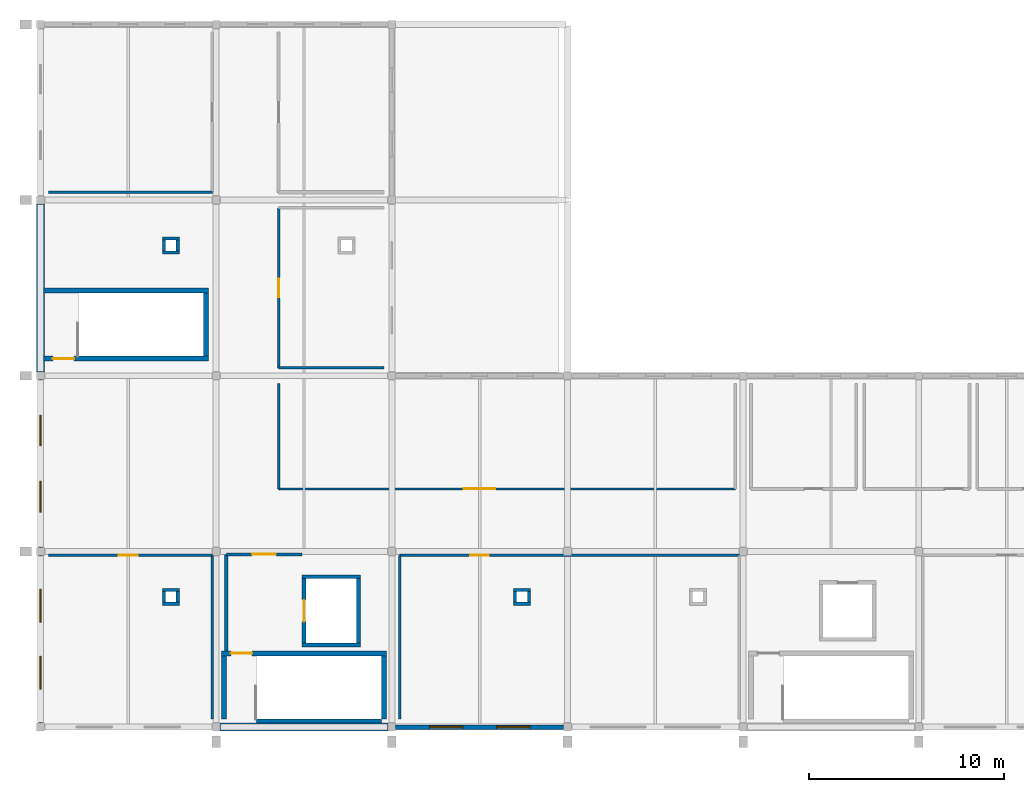
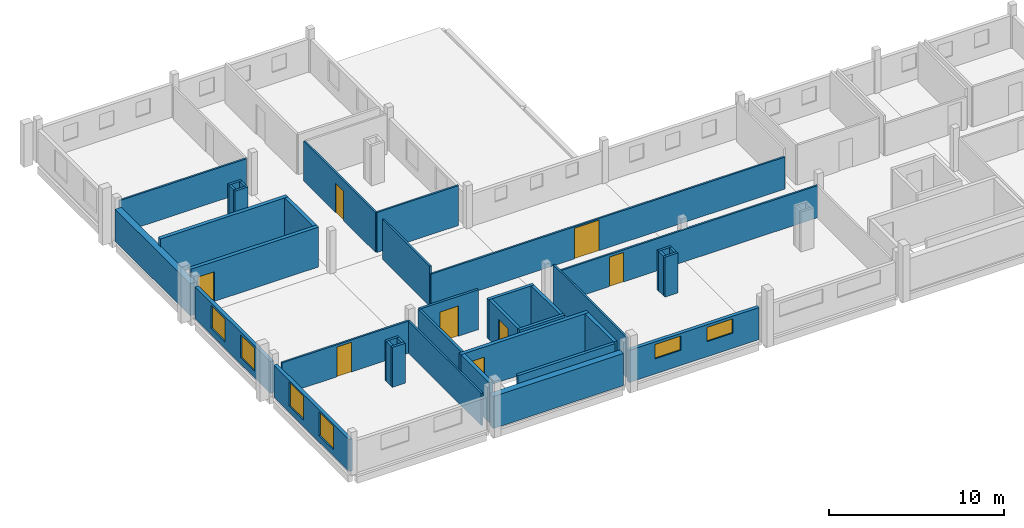
# One storey, part 2 of 6: 39 walls, 8 doors, 6 windows, 14 openings.
"""IFC4 building model written with IfcOpenShell, lengths in metres."""

from ifc_helpers import new_model, si_unit, direction, frame, frame_2d, origin, place, context, subcontext, project, spatial, rectangle, extrude, material, layer, layer_set, type_object, element, fill, save


model = new_model("IFC4")

# Units and contexts
model_context = context("Model", 3, precision=1e-05, world=origin(), true_north=direction((0.0, 1.0)))
body_context = subcontext(model_context, "Body", "Model", "MODEL_VIEW")
ifc_project = project(units=[si_unit("LENGTHUNIT", "METRE"), si_unit("AREAUNIT", "SQUARE_METRE"), si_unit("VOLUMEUNIT", "CUBIC_METRE"), si_unit("PLANEANGLEUNIT", "RADIAN"), si_unit("MASSUNIT", "GRAM", prefix="KILO")], contexts=[model_context])

# Site, building, storey
site_placement = place(None, origin())
site = spatial("IfcSite", under=ifc_project, at=site_placement, CompositionType="ELEMENT")
building_placement = place(site_placement, origin())
building = spatial("IfcBuilding", under=site, at=building_placement, Name="Tharagai Park Tramway Depot", CompositionType="ELEMENT")
storey_placement = place(building_placement, frame((0.0, 0.0, 15.0)))
storey = spatial("IfcBuildingStorey", under=building, at=storey_placement, Name="L04", CompositionType="ELEMENT", Elevation=15.0)

# Wall, openings, windows
ifc_material_1 = material(Name="Pressed clay brick", Category="masonry")
ifc_layer_1 = layer(ifc_material_1, 0.22998046875)
ifc_layer_set_1 = layer_set([ifc_layer_1], Name="Pressed clay brick")
wall_type_1 = type_object("IfcWallType", Name="EW-06", PredefinedType="SOLIDWALL", material=ifc_layer_set_1)
wall_1_placement = place(storey_placement, frame((18.197998046875, 0.0, 0.0), z_axis=(0.0, 0.0, 1.0), x_axis=(1.0, 0.0, 0.0)))
wall_1 = element("IfcWall", 1, at=wall_1_placement, inside=storey, type_object=wall_type_1, Name="L04 V4 Exterior Masonry Wall EW-06", PredefinedType="SOLIDWALL", context=body_context, shape_type="SweptSolid", body=[
    extrude(rectangle(XDim=8.60400390625, YDim=0.22998046875, at=frame_2d((4.302001953125, 0.0))), origin(), (0.0, 0.0, 1.0), 2.241943359375),
])
opening_1_placement = place(wall_1_placement, frame((1.735107421875, 0.0, 1.06005859375)))
opening_1 = element("IfcOpeningElement", 2, at=opening_1_placement, cuts=wall_1, Name="Opening WN-31", PredefinedType="OPENING", context=body_context, shape_type="SweptSolid", body=[
    extrude(rectangle(XDim=1.699951171875, YDim=1.0, at=frame_2d((0.85009765625, 0.5))), frame((0.0, 0.125, 0.0), z_axis=(0.0, -1.0, 0.0), x_axis=(1.0, 0.0, 0.0)), (0.0, 0.0, 1.0), 0.25),
])
opening_2_placement = place(wall_1_placement, frame((5.1689453125, 0.0, 1.06005859375)))
opening_2 = element("IfcOpeningElement", 3, at=opening_2_placement, cuts=wall_1, Name="Opening WN-31", PredefinedType="OPENING", context=body_context, shape_type="SweptSolid", body=[
    extrude(rectangle(XDim=1.699951171875, YDim=1.0, at=frame_2d((0.85009765625, 0.5))), frame((0.0, 0.125, 0.0), z_axis=(0.0, -1.0, 0.0), x_axis=(1.0, 0.0, 0.0)), (0.0, 0.0, 1.0), 0.25),
])
ifc_material_2 = material(Name="Laminated solar-control glass", Category="glass")
window_type_1 = type_object("IfcWindowType", Name="WN-31", PartitioningType="SINGLE_PANEL", PredefinedType="WINDOW", material=ifc_material_2)
window_1_placement = place(opening_1_placement, origin())
window_1 = element("IfcWindow", 4, at=window_1_placement, inside=storey, type_object=window_type_1, Name="L04 V4 Gothic Lancet Window WN-31", OverallHeight=1.0, OverallWidth=1.699951171875, PartitioningType="SINGLE_PANEL", PredefinedType="WINDOW", context=body_context, shape_type="SweptSolid", body=[
    extrude(rectangle(XDim=1.699951171875, YDim=1.0, at=frame_2d((0.85009765625, 0.5))), frame((0.0, 0.030029296875, 0.0), z_axis=(0.0, -1.0, 0.0), x_axis=(1.0, 0.0, 0.0)), (0.0, 0.0, 1.0), 0.06005859375),
])
fill(opening_1, window_1)
window_2_placement = place(opening_2_placement, origin())
window_2 = element("IfcWindow", 5, at=window_2_placement, inside=storey, type_object=window_type_1, Name="L04 V4 Gothic Lancet Window WN-31", OverallHeight=1.0, OverallWidth=1.699951171875, PartitioningType="SINGLE_PANEL", PredefinedType="WINDOW", context=body_context, shape_type="SweptSolid", body=[
    extrude(rectangle(XDim=1.699951171875, YDim=1.0, at=frame_2d((0.85009765625, 0.5))), frame((0.0, 0.030029296875, 0.0), z_axis=(0.0, -1.0, 0.0), x_axis=(1.0, 0.0, 0.0)), (0.0, 0.0, 1.0), 0.06005859375),
])
fill(opening_2, window_2)

wall_2_placement = place(storey_placement, frame((0.0, 0.197998046875, 0.0), z_axis=(0.0, 0.0, 1.0), x_axis=(0.0, 1.0, 0.0)))
wall_2 = element("IfcWall", 6, at=wall_2_placement, inside=storey, type_object=wall_type_1, Name="L04 V4 Exterior Masonry Wall EW-06", PredefinedType="SOLIDWALL", context=body_context, shape_type="SweptSolid", body=[
    extrude(rectangle(XDim=8.60400390625, YDim=0.22998046875, at=frame_2d((4.302001953125, 0.0))), origin(), (0.0, 0.0, 1.0), 2.241943359375),
])
opening_3_placement = place(wall_2_placement, frame((1.748046875, 0.0, 0.449951171875)))
opening_3 = element("IfcOpeningElement", 7, at=opening_3_placement, cuts=wall_2, Name="Opening WN-38", PredefinedType="OPENING", context=body_context, shape_type="SweptSolid", body=[
    extrude(rectangle(XDim=1.679931640625, YDim=1.659912109375, at=frame_2d((0.83984375, 0.830078125))), frame((0.0, 0.125, 0.0), z_axis=(0.0, -1.0, 0.0), x_axis=(1.0, 0.0, 0.0)), (0.0, 0.0, 1.0), 0.25),
])
opening_4_placement = place(wall_2_placement, frame((5.176025390625, 0.0, 0.449951171875)))
opening_4 = element("IfcOpeningElement", 8, at=opening_4_placement, cuts=wall_2, Name="Opening WN-38", PredefinedType="OPENING", context=body_context, shape_type="SweptSolid", body=[
    extrude(rectangle(XDim=1.679931640625, YDim=1.659912109375, at=frame_2d((0.83984375, 0.830078125))), frame((0.0, 0.125, 0.0), z_axis=(0.0, -1.0, 0.0), x_axis=(1.0, 0.0, 0.0)), (0.0, 0.0, 1.0), 0.25),
])
window_type_2 = type_object("IfcWindowType", Name="WN-38", PartitioningType="SINGLE_PANEL", PredefinedType="WINDOW", material=ifc_material_2)
window_3_placement = place(opening_3_placement, origin())
window_3 = element("IfcWindow", 9, at=window_3_placement, inside=storey, type_object=window_type_2, Name="L04 V4 Side Lancet Window WN-38", OverallHeight=1.659912109375, OverallWidth=1.679931640625, PartitioningType="SINGLE_PANEL", PredefinedType="WINDOW", context=body_context, shape_type="SweptSolid", body=[
    extrude(rectangle(XDim=1.679931640625, YDim=1.659912109375, at=frame_2d((0.83984375, 0.830078125))), frame((0.0, 0.030029296875, 0.0), z_axis=(0.0, -1.0, 0.0), x_axis=(1.0, 0.0, 0.0)), (0.0, 0.0, 1.0), 0.06005859375),
])
fill(opening_3, window_3)
window_4_placement = place(opening_4_placement, origin())
window_4 = element("IfcWindow", 10, at=window_4_placement, inside=storey, type_object=window_type_2, Name="L04 V4 Side Lancet Window WN-38", OverallHeight=1.659912109375, OverallWidth=1.679931640625, PartitioningType="SINGLE_PANEL", PredefinedType="WINDOW", context=body_context, shape_type="SweptSolid", body=[
    extrude(rectangle(XDim=1.679931640625, YDim=1.659912109375, at=frame_2d((0.83984375, 0.830078125))), frame((0.0, 0.030029296875, 0.0), z_axis=(0.0, -1.0, 0.0), x_axis=(1.0, 0.0, 0.0)), (0.0, 0.0, 1.0), 0.06005859375),
])
fill(opening_4, window_4)

wall_3_placement = place(storey_placement, frame((0.0, 9.197998046875, 0.0), z_axis=(0.0, 0.0, 1.0), x_axis=(0.0, 1.0, 0.0)))
wall_3 = element("IfcWall", 11, at=wall_3_placement, inside=storey, type_object=wall_type_1, Name="L04 V4 Exterior Masonry Wall EW-06", PredefinedType="SOLIDWALL", context=body_context, shape_type="SweptSolid", body=[
    extrude(rectangle(XDim=8.60400390625, YDim=0.22998046875, at=frame_2d((4.302001953125, 0.0))), origin(), (0.0, 0.0, 1.0), 2.241943359375),
])
opening_5_placement = place(wall_3_placement, frame((1.81494140625, 0.0, 0.4599609375)))
opening_5 = element("IfcOpeningElement", 12, at=opening_5_placement, cuts=wall_3, Name="Opening WN-33", PredefinedType="OPENING", context=body_context, shape_type="SweptSolid", body=[
    extrude(rectangle(XDim=1.580078125, YDim=1.60009765625, at=frame_2d((0.7900390625, 0.800048828125))), frame((0.0, 0.125, 0.0), z_axis=(0.0, -1.0, 0.0), x_axis=(1.0, 0.0, 0.0)), (0.0, 0.0, 1.0), 0.25),
])
opening_6_placement = place(wall_3_placement, frame((5.208984375, 0.0, 0.4599609375)))
opening_6 = element("IfcOpeningElement", 13, at=opening_6_placement, cuts=wall_3, Name="Opening WN-33", PredefinedType="OPENING", context=body_context, shape_type="SweptSolid", body=[
    extrude(rectangle(XDim=1.580078125, YDim=1.60009765625, at=frame_2d((0.7900390625, 0.800048828125))), frame((0.0, 0.125, 0.0), z_axis=(0.0, -1.0, 0.0), x_axis=(1.0, 0.0, 0.0)), (0.0, 0.0, 1.0), 0.25),
])
window_type_3 = type_object("IfcWindowType", Name="WN-33", PartitioningType="SINGLE_PANEL", PredefinedType="WINDOW", material=ifc_material_2)
window_5_placement = place(opening_5_placement, origin())
window_5 = element("IfcWindow", 14, at=window_5_placement, inside=storey, type_object=window_type_3, Name="L04 V4 Side Lancet Window WN-33", OverallHeight=1.60009765625, OverallWidth=1.580078125, PartitioningType="SINGLE_PANEL", PredefinedType="WINDOW", context=body_context, shape_type="SweptSolid", body=[
    extrude(rectangle(XDim=1.580078125, YDim=1.60009765625, at=frame_2d((0.7900390625, 0.800048828125))), frame((0.0, 0.030029296875, 0.0), z_axis=(0.0, -1.0, 0.0), x_axis=(1.0, 0.0, 0.0)), (0.0, 0.0, 1.0), 0.06005859375),
])
fill(opening_5, window_5)
window_6_placement = place(opening_6_placement, origin())
window_6 = element("IfcWindow", 15, at=window_6_placement, inside=storey, type_object=window_type_3, Name="L04 V4 Side Lancet Window WN-33", OverallHeight=1.60009765625, OverallWidth=1.580078125, PartitioningType="SINGLE_PANEL", PredefinedType="WINDOW", context=body_context, shape_type="SweptSolid", body=[
    extrude(rectangle(XDim=1.580078125, YDim=1.60009765625, at=frame_2d((0.7900390625, 0.800048828125))), frame((0.0, 0.030029296875, 0.0), z_axis=(0.0, -1.0, 0.0), x_axis=(1.0, 0.0, 0.0)), (0.0, 0.0, 1.0), 0.06005859375),
])
fill(opening_6, window_6)

# Walls
ifc_material_3 = material(Name="Charnockite stone", Category="masonry")
ifc_layer_2 = layer(ifc_material_3, 0.419921875)
ifc_layer_set_2 = layer_set([ifc_layer_2], Name="Charnockite stone")
wall_type_2 = type_object("IfcWallType", Name="EW-07", PredefinedType="SOLIDWALL", material=ifc_layer_set_2)
for number, where, z_axis, x_axis, name in (
    (16, (9.197998046875, 0.0, 0.0), (0.0, 0.0, 1.0), (1.0, 0.0, 0.0), "L04 V4 Exterior Masonry Wall EW-07"),
    (17, (0.0, 18.197998046875, 0.0), (0.0, 0.0, 1.0), (0.0, 1.0, 0.0), "L04 V4 Exterior Masonry Wall EW-07"),
):
    element("IfcWall", number, at=place(storey_placement, frame(where, z_axis=z_axis, x_axis=x_axis)), inside=storey, type_object=wall_type_2, Name=name, PredefinedType="SOLIDWALL", context=body_context, shape_type="SweptSolid", body=[
        extrude(rectangle(XDim=8.60400390625, YDim=0.419921875, at=frame_2d((4.302001953125, 0.0))), origin(), (0.0, 0.0, 1.0), 2.241943359375),
    ])
ifc_layer_3 = layer(ifc_material_1, 0.159912109375)
ifc_layer_set_3 = layer_set([ifc_layer_3], Name="Pressed clay brick")
wall_type_3 = type_object("IfcWallType", Name="IW-02", PredefinedType="PARTITIONING", material=ifc_layer_set_3)
for number, where, z_axis, x_axis, name in (
    (18, (6.239990234375, 6.320068359375, 0.0), (0.0, 0.0, 1.0), (1.0, 0.0, 0.0), "L04 Pipe Riser Enclosure Wall 62 S"),
    (19, (6.239990234375, 7.030029296875, 0.0), (0.0, 0.0, 1.0), (1.0, 0.0, 0.0), "L04 Pipe Riser Enclosure Wall 62 N"),
):
    element("IfcWall", number, at=place(storey_placement, frame(where, z_axis=z_axis, x_axis=x_axis)), inside=storey, type_object=wall_type_3, Name=name, PredefinedType="PARTITIONING", context=body_context, shape_type="SweptSolid", body=[
        extrude(rectangle(XDim=0.8701171875, YDim=0.159912109375, at=frame_2d((0.43505859375, 0.0))), origin(), (0.0, 0.0, 1.0), 2.7900390625),
    ])
for number, where, z_axis, x_axis, name in (
    (20, (6.320068359375, 6.39990234375, 0.0), (0.0, 0.0, 1.0), (0.0, 1.0, 0.0), "L04 Pipe Riser Enclosure Wall 62 W"),
    (21, (7.030029296875, 6.39990234375, 0.0), (0.0, 0.0, 1.0), (0.0, 1.0, 0.0), "L04 Pipe Riser Enclosure Wall 62 E"),
):
    element("IfcWall", number, at=place(storey_placement, frame(where, z_axis=z_axis, x_axis=x_axis)), inside=storey, type_object=wall_type_3, Name=name, PredefinedType="PARTITIONING", context=body_context, shape_type="SweptSolid", body=[
        extrude(rectangle(XDim=0.550048828125, YDim=0.159912109375, at=frame_2d((0.27490234375, 0.0))), origin(), (0.0, 0.0, 1.0), 2.7900390625),
    ])
for number, where, z_axis, x_axis, name in (
    (22, (24.239990234375, 6.320068359375, 0.0), (0.0, 0.0, 1.0), (1.0, 0.0, 0.0), "L04 Pipe Riser Enclosure Wall 63 S"),
    (23, (24.239990234375, 7.030029296875, 0.0), (0.0, 0.0, 1.0), (1.0, 0.0, 0.0), "L04 Pipe Riser Enclosure Wall 63 N"),
):
    element("IfcWall", number, at=place(storey_placement, frame(where, z_axis=z_axis, x_axis=x_axis)), inside=storey, type_object=wall_type_3, Name=name, PredefinedType="PARTITIONING", context=body_context, shape_type="SweptSolid", body=[
        extrude(rectangle(XDim=0.8701171875, YDim=0.159912109375, at=frame_2d((0.43505859375, 0.0))), origin(), (0.0, 0.0, 1.0), 2.7900390625),
    ])
for number, where, z_axis, x_axis, name in (
    (24, (24.320068359375, 6.39990234375, 0.0), (0.0, 0.0, 1.0), (0.0, 1.0, 0.0), "L04 Pipe Riser Enclosure Wall 63 W"),
    (25, (25.030029296875, 6.39990234375, 0.0), (0.0, 0.0, 1.0), (0.0, 1.0, 0.0), "L04 Pipe Riser Enclosure Wall 63 E"),
):
    element("IfcWall", number, at=place(storey_placement, frame(where, z_axis=z_axis, x_axis=x_axis)), inside=storey, type_object=wall_type_3, Name=name, PredefinedType="PARTITIONING", context=body_context, shape_type="SweptSolid", body=[
        extrude(rectangle(XDim=0.550048828125, YDim=0.159912109375, at=frame_2d((0.27490234375, 0.0))), origin(), (0.0, 0.0, 1.0), 2.7900390625),
    ])
for number, where, z_axis, x_axis, name in (
    (26, (6.239990234375, 24.320068359375, 0.0), (0.0, 0.0, 1.0), (1.0, 0.0, 0.0), "L04 Pipe Riser Enclosure Wall 66 S"),
    (27, (6.239990234375, 25.030029296875, 0.0), (0.0, 0.0, 1.0), (1.0, 0.0, 0.0), "L04 Pipe Riser Enclosure Wall 66 N"),
):
    element("IfcWall", number, at=place(storey_placement, frame(where, z_axis=z_axis, x_axis=x_axis)), inside=storey, type_object=wall_type_3, Name=name, PredefinedType="PARTITIONING", context=body_context, shape_type="SweptSolid", body=[
        extrude(rectangle(XDim=0.8701171875, YDim=0.159912109375, at=frame_2d((0.43505859375, 0.0))), origin(), (0.0, 0.0, 1.0), 2.7900390625),
    ])
for number, where, z_axis, x_axis, name in (
    (28, (6.320068359375, 24.39990234375, 0.0), (0.0, 0.0, 1.0), (0.0, 1.0, 0.0), "L04 Pipe Riser Enclosure Wall 66 W"),
    (29, (7.030029296875, 24.39990234375, 0.0), (0.0, 0.0, 1.0), (0.0, 1.0, 0.0), "L04 Pipe Riser Enclosure Wall 66 E"),
):
    element("IfcWall", number, at=place(storey_placement, frame(where, z_axis=z_axis, x_axis=x_axis)), inside=storey, type_object=wall_type_3, Name=name, PredefinedType="PARTITIONING", context=body_context, shape_type="SweptSolid", body=[
        extrude(rectangle(XDim=0.550048828125, YDim=0.159912109375, at=frame_2d((0.27490234375, 0.0))), origin(), (0.0, 0.0, 1.0), 2.7900390625),
    ])

# Wall, opening, door
wall_4_placement = place(storey_placement, frame((9.52001953125, 8.85009765625, 0.0), z_axis=(0.0, 0.0, 1.0), x_axis=(1.0, 0.0, 0.0)))
wall_4 = element("IfcWall", 30, at=wall_4_placement, inside=storey, type_object=wall_type_3, Name="Firefighting Lobby L04 Partition North", PredefinedType="PARTITIONING", context=body_context, shape_type="SweptSolid", body=[
    extrude(rectangle(XDim=3.8798828125, YDim=0.159912109375, at=frame_2d((1.93994140625, 0.0))), origin(), (0.0, 0.0, 1.0), 2.7900390625),
])
opening_7_placement = place(wall_4_placement, frame((1.320068359375, 0.0, 0.0)))
opening_7 = element("IfcOpeningElement", 31, at=opening_7_placement, cuts=wall_4, Name="Opening ID-10", PredefinedType="OPENING", context=body_context, shape_type="SweptSolid", body=[
    extrude(rectangle(XDim=1.219970703125, YDim=2.1201171875, at=frame_2d((0.60986328125, 1.06005859375))), frame((0.0, 0.08984375, 0.0), z_axis=(0.0, -1.0, 0.0), x_axis=(1.0, 0.0, 0.0)), (0.0, 0.0, 1.0), 0.179931640625),
])
ifc_material_4 = material(Name="Galvanised steel", Category="steel")
door_type_1 = type_object("IfcDoorType", Name="ID-10", OperationType="NOTDEFINED", PredefinedType="DOOR", material=ifc_material_4)
door_1_placement = place(opening_7_placement, origin())
door_1 = element("IfcDoor", 32, at=door_1_placement, inside=storey, type_object=door_type_1, Name="Firefighting Lobby L04 Door", OperationType="SINGLE_SWING_LEFT", OverallHeight=2.1201171875, OverallWidth=1.219970703125, PredefinedType="DOOR", context=body_context, shape_type="SweptSolid", body=[
    extrude(rectangle(XDim=1.219970703125, YDim=2.1201171875, at=frame_2d((0.60986328125, 1.06005859375))), frame((0.0, 0.02490234375, 0.0), z_axis=(0.0, -1.0, 0.0), x_axis=(1.0, 0.0, 0.0)), (0.0, 0.0, 1.0), 0.050048828125),
])
fill(opening_7, door_1)

# Wall
wall_5_placement = place(storey_placement, frame((9.52001953125, 3.889892578125, 0.0), z_axis=(0.0, 0.0, 1.0), x_axis=(0.0, 1.0, 0.0)))
element("IfcWall", 33, at=wall_5_placement, inside=storey, type_object=wall_type_3, Name="Firefighting Lobby L04 Partition West", PredefinedType="PARTITIONING", context=body_context, shape_type="SweptSolid", body=[
    extrude(rectangle(XDim=4.960205078125, YDim=0.159912109375, at=frame_2d((2.47998046875, 0.0))), origin(), (0.0, 0.0, 1.0), 2.7900390625),
])

# Wall, opening, door
ifc_material_5 = material(Name="Gypsum board", Category="gypsum")
ifc_layer_4 = layer(ifc_material_5, 0.1201171875)
ifc_layer_set_4 = layer_set([ifc_layer_4], Name="Gypsum board")
wall_type_4 = type_object("IfcWallType", Name="IW-03", PredefinedType="PARTITIONING", material=ifc_layer_set_4)
wall_6_placement = place(storey_placement, frame((0.39990234375, 8.800048828125, 0.0), z_axis=(0.0, 0.0, 1.0), x_axis=(1.0, 0.0, 0.0)))
wall_6 = element("IfcWall", 34, at=wall_6_placement, inside=storey, type_object=wall_type_4, Name="Night-Shift Crew Quiet Rest Room Partition North", PredefinedType="PARTITIONING", context=body_context, shape_type="SweptSolid", body=[
    extrude(rectangle(XDim=8.400146484375, YDim=0.1201171875, at=frame_2d((4.2001953125, 0.0))), origin(), (0.0, 0.0, 1.0), 2.2451171875),
])
opening_8_placement = place(wall_6_placement, frame((3.610107421875, 0.0, 0.0)))
opening_8 = element("IfcOpeningElement", 35, at=opening_8_placement, cuts=wall_6, Name="Opening ID-02", PredefinedType="OPENING", context=body_context, shape_type="SweptSolid", body=[
    extrude(rectangle(XDim=0.97998046875, YDim=2.080078125, at=frame_2d((0.489990234375, 1.0400390625))), frame((0.0, 0.070068359375, 0.0), z_axis=(0.0, -1.0, 0.0), x_axis=(1.0, 0.0, 0.0)), (0.0, 0.0, 1.0), 0.14013671875),
])
ifc_material_6 = material(Name="Pressed timber", Category="wood")
door_type_2 = type_object("IfcDoorType", Name="ID-02", OperationType="NOTDEFINED", PredefinedType="DOOR", material=ifc_material_6)
door_2_placement = place(opening_8_placement, origin())
door_2 = element("IfcDoor", 36, at=door_2_placement, inside=storey, type_object=door_type_2, Name="Night-Shift Crew Quiet Rest Room Door", OperationType="SINGLE_SWING_LEFT", OverallHeight=2.080078125, OverallWidth=0.97998046875, PredefinedType="DOOR", context=body_context, shape_type="SweptSolid", body=[
    extrude(rectangle(XDim=0.97998046875, YDim=2.080078125, at=frame_2d((0.489990234375, 1.0400390625))), frame((0.0, 0.02490234375, 0.0), z_axis=(0.0, -1.0, 0.0), x_axis=(1.0, 0.0, 0.0)), (0.0, 0.0, 1.0), 0.050048828125),
])
fill(opening_8, door_2)

# Wall
wall_7_placement = place(storey_placement, frame((8.800048828125, 0.39990234375, 0.0), z_axis=(0.0, 0.0, 1.0), x_axis=(0.0, 1.0, 0.0)))
element("IfcWall", 37, at=wall_7_placement, inside=storey, type_object=wall_type_4, Name="Night-Shift Crew Quiet Rest Room Partition East", PredefinedType="PARTITIONING", context=body_context, shape_type="SweptSolid", body=[
    extrude(rectangle(XDim=8.400146484375, YDim=0.1201171875, at=frame_2d((4.2001953125, 0.0))), origin(), (0.0, 0.0, 1.0), 2.2451171875),
])

# Wall, opening, door
wall_8_placement = place(storey_placement, frame((18.39990234375, 8.800048828125, 0.0), z_axis=(0.0, 0.0, 1.0), x_axis=(1.0, 0.0, 0.0)))
wall_8 = element("IfcWall", 38, at=wall_8_placement, inside=storey, type_object=wall_type_4, Name="Standards and Safety Reference Library Partition North", PredefinedType="PARTITIONING", context=body_context, shape_type="SweptSolid", body=[
    extrude(rectangle(XDim=17.400146484375, YDim=0.1201171875, at=frame_2d((8.7001953125, 0.0))), origin(), (0.0, 0.0, 1.0), 2.2451171875),
])
opening_9_placement = place(wall_8_placement, frame((3.6298828125, 0.0, 0.0)))
opening_9 = element("IfcOpeningElement", 39, at=opening_9_placement, cuts=wall_8, Name="Opening ID-03", PredefinedType="OPENING", context=body_context, shape_type="SweptSolid", body=[
    extrude(rectangle(XDim=0.93994140625, YDim=2.06005859375, at=frame_2d((0.469970703125, 1.030029296875))), frame((0.0, 0.070068359375, 0.0), z_axis=(0.0, -1.0, 0.0), x_axis=(1.0, 0.0, 0.0)), (0.0, 0.0, 1.0), 0.14013671875),
])
door_type_3 = type_object("IfcDoorType", Name="ID-03", OperationType="NOTDEFINED", PredefinedType="DOOR", material=ifc_material_6)
door_3_placement = place(opening_9_placement, origin())
door_3 = element("IfcDoor", 40, at=door_3_placement, inside=storey, type_object=door_type_3, Name="Standards and Safety Reference Library Door", OperationType="SINGLE_SWING_RIGHT", OverallHeight=2.06005859375, OverallWidth=0.93994140625, PredefinedType="DOOR", context=body_context, shape_type="SweptSolid", body=[
    extrude(rectangle(XDim=0.93994140625, YDim=2.06005859375, at=frame_2d((0.469970703125, 1.030029296875))), frame((0.0, 0.02490234375, 0.0), z_axis=(0.0, -1.0, 0.0), x_axis=(1.0, 0.0, 0.0)), (0.0, 0.0, 1.0), 0.050048828125),
])
fill(opening_9, door_3)

# Wall
wall_9_placement = place(storey_placement, frame((18.39990234375, 0.39990234375, 0.0), z_axis=(0.0, 0.0, 1.0), x_axis=(0.0, 1.0, 0.0)))
element("IfcWall", 41, at=wall_9_placement, inside=storey, type_object=wall_type_4, Name="Standards and Safety Reference Library Partition West", PredefinedType="PARTITIONING", context=body_context, shape_type="SweptSolid", body=[
    extrude(rectangle(XDim=8.400146484375, YDim=0.1201171875, at=frame_2d((4.2001953125, 0.0))), origin(), (0.0, 0.0, 1.0), 2.7900390625),
])

# Wall, opening, door
wall_10_placement = place(storey_placement, frame((12.199951171875, 12.199951171875, 0.0), z_axis=(0.0, 0.0, 1.0), x_axis=(1.0, 0.0, 0.0)))
wall_10 = element("IfcWall", 42, at=wall_10_placement, inside=storey, type_object=wall_type_4, Name="Operations Safety Seminar Hall Partition South", PredefinedType="PARTITIONING", context=body_context, shape_type="SweptSolid", body=[
    extrude(rectangle(XDim=23.400146484375, YDim=0.1201171875, at=frame_2d((11.7001953125, 0.0))), origin(), (0.0, 0.0, 1.0), 2.2451171875),
])
opening_10_placement = place(wall_10_placement, frame((9.489990234375, 0.0, 0.0)))
opening_10 = element("IfcOpeningElement", 43, at=opening_10_placement, cuts=wall_10, Name="Opening ID-01", PredefinedType="OPENING", context=body_context, shape_type="SweptSolid", body=[
    extrude(rectangle(XDim=1.6201171875, YDim=2.139892578125, at=frame_2d((0.81005859375, 1.06982421875))), frame((0.0, 0.070068359375, 0.0), z_axis=(0.0, -1.0, 0.0), x_axis=(1.0, 0.0, 0.0)), (0.0, 0.0, 1.0), 0.14013671875),
])
ifc_material_7 = material(Name="Anodised aluminium", Category="aluminium")
door_type_4 = type_object("IfcDoorType", Name="ID-01", OperationType="DOUBLE_SWING_LEFT", PredefinedType="DOOR", material=ifc_material_7)
door_4_placement = place(opening_10_placement, frame((1.6201171875, 0.0, 0.0), z_axis=(0.0, 0.0, 1.0), x_axis=(-1.0, 0.0, 0.0)))
door_4 = element("IfcDoor", 44, at=door_4_placement, inside=storey, type_object=door_type_4, Name="Operations Safety Seminar Hall Door", OperationType="DOUBLE_SWING_LEFT", OverallHeight=2.139892578125, OverallWidth=1.6201171875, PredefinedType="DOOR", context=body_context, shape_type="SweptSolid", body=[
    extrude(rectangle(XDim=1.6201171875, YDim=2.139892578125, at=frame_2d((0.81005859375, 1.06982421875))), frame((0.0, 0.02490234375, 0.0), z_axis=(0.0, -1.0, 0.0), x_axis=(1.0, 0.0, 0.0)), (0.0, 0.0, 1.0), 0.050048828125),
])
fill(opening_10, door_4)

# Walls
for number, where, z_axis, x_axis, name in (
    (45, (12.199951171875, 12.199951171875, 0.0), (0.0, 0.0, 1.0), (0.0, 1.0, 0.0), "Operations Safety Seminar Hall Partition West"),
    (46, (12.199951171875, 18.39990234375, 0.0), (0.0, 0.0, 1.0), (1.0, 0.0, 0.0), "Senior Instructors Study Room Partition South"),
):
    element("IfcWall", number, at=place(storey_placement, frame(where, z_axis=z_axis, x_axis=x_axis)), inside=storey, type_object=wall_type_4, Name=name, PredefinedType="PARTITIONING", context=body_context, shape_type="SweptSolid", body=[
        extrude(rectangle(XDim=5.400146484375, YDim=0.1201171875, at=frame_2d((2.7001953125, 0.0))), origin(), (0.0, 0.0, 1.0), 2.7900390625),
    ])

# Wall, opening, door
wall_11_placement = place(storey_placement, frame((12.199951171875, 18.39990234375, 0.0), z_axis=(0.0, 0.0, 1.0), x_axis=(0.0, 1.0, 0.0)))
wall_11 = element("IfcWall", 47, at=wall_11_placement, inside=storey, type_object=wall_type_4, Name="Senior Instructors Study Room Partition West", PredefinedType="PARTITIONING", context=body_context, shape_type="SweptSolid", body=[
    extrude(rectangle(XDim=8.2001953125, YDim=0.1201171875, at=frame_2d((4.10009765625, 0.0))), origin(), (0.0, 0.0, 1.0), 2.7900390625),
])
opening_11_placement = place(wall_11_placement, frame((3.6298828125, 0.0, 0.0)))
opening_11 = element("IfcOpeningElement", 48, at=opening_11_placement, cuts=wall_11, Name="Opening ID-03", PredefinedType="OPENING", context=body_context, shape_type="SweptSolid", body=[
    extrude(rectangle(XDim=0.93994140625, YDim=2.06005859375, at=frame_2d((0.469970703125, 1.030029296875))), frame((0.0, 0.070068359375, 0.0), z_axis=(0.0, -1.0, 0.0), x_axis=(1.0, 0.0, 0.0)), (0.0, 0.0, 1.0), 0.14013671875),
])
door_5_placement = place(opening_11_placement, origin())
door_5 = element("IfcDoor", 49, at=door_5_placement, inside=storey, type_object=door_type_3, Name="Senior Instructors Study Room Door", OperationType="SINGLE_SWING_LEFT", OverallHeight=2.06005859375, OverallWidth=0.93994140625, PredefinedType="DOOR", context=body_context, shape_type="SweptSolid", body=[
    extrude(rectangle(XDim=0.93994140625, YDim=2.06005859375, at=frame_2d((0.469970703125, 1.030029296875))), frame((0.0, 0.02490234375, 0.0), z_axis=(0.0, -1.0, 0.0), x_axis=(1.0, 0.0, 0.0)), (0.0, 0.0, 1.0), 0.050048828125),
])
fill(opening_11, door_5)

# Wall
wall_12_placement = place(storey_placement, frame((0.39990234375, 27.39990234375, 0.0), z_axis=(0.0, 0.0, 1.0), x_axis=(1.0, 0.0, 0.0)))
element("IfcWall", 50, at=wall_12_placement, inside=storey, type_object=wall_type_4, Name="Staff Beverage Pantry Partition South", PredefinedType="PARTITIONING", context=body_context, shape_type="SweptSolid", body=[
    extrude(rectangle(XDim=8.400146484375, YDim=0.1201171875, at=frame_2d((4.2001953125, 0.0))), origin(), (0.0, 0.0, 1.0), 2.294921875),
])

# Wall, opening, door
ifc_material_8 = material(Name="Concrete M40", Category="concrete")
ifc_layer_5 = layer(ifc_material_8, 0.239990234375)
ifc_layer_set_5 = layer_set([ifc_layer_5], Name="Concrete M40")
wall_type_5 = type_object("IfcWallType", Name="SW-01", PredefinedType="SHEAR", material=ifc_layer_set_5)
wall_13_placement = place(storey_placement, frame((9.280029296875, 3.77001953125, 0.0), z_axis=(0.0, 0.0, 1.0), x_axis=(1.0, 0.0, 0.0)))
wall_13 = element("IfcWall", 51, at=wall_13_placement, inside=storey, type_object=wall_type_5, Name="Core C1 L04 Shear Wall North", PredefinedType="SHEAR", context=body_context, shape_type="SweptSolid", body=[
    extrude(rectangle(XDim=8.43994140625, YDim=0.239990234375, at=frame_2d((4.219970703125, 0.0))), origin(), (0.0, 0.0, 1.0), 2.7900390625),
])
opening_12_placement = place(wall_13_placement, frame((0.47998046875, 0.0, 0.0)))
opening_12 = element("IfcOpeningElement", 52, at=opening_12_placement, cuts=wall_13, Name="Opening ID-05", PredefinedType="OPENING", context=body_context, shape_type="SweptSolid", body=[
    extrude(rectangle(XDim=1.080078125, YDim=2.080078125, at=frame_2d((0.5400390625, 1.0400390625))), frame((0.0, 0.1298828125, 0.0), z_axis=(0.0, -1.0, 0.0), x_axis=(1.0, 0.0, 0.0)), (0.0, 0.0, 1.0), 0.260009765625),
])
door_type_5 = type_object("IfcDoorType", Name="ID-05", OperationType="NOTDEFINED", PredefinedType="DOOR", material=ifc_material_4)
door_6_placement = place(opening_12_placement, frame((1.080078125, 0.0, 0.0), z_axis=(0.0, 0.0, 1.0), x_axis=(-1.0, 0.0, 0.0)))
door_6 = element("IfcDoor", 53, at=door_6_placement, inside=storey, type_object=door_type_5, Name="Stair ST-01 L04 Fire Door", OperationType="SINGLE_SWING_LEFT", OverallHeight=2.080078125, OverallWidth=1.080078125, PredefinedType="DOOR", context=body_context, shape_type="SweptSolid", body=[
    extrude(rectangle(XDim=1.080078125, YDim=2.080078125, at=frame_2d((0.5400390625, 1.0400390625))), frame((0.0, 0.02490234375, 0.0), z_axis=(0.0, -1.0, 0.0), x_axis=(1.0, 0.0, 0.0)), (0.0, 0.0, 1.0), 0.050048828125),
])
fill(opening_12, door_6)

# Walls
for number, where, z_axis, x_axis, name in (
    (54, (9.39990234375, 0.39990234375, 0.0), (0.0, 0.0, 1.0), (0.0, 1.0, 0.0), "Core C1 L04 Shear Wall West"),
    (55, (17.60009765625, 0.39990234375, 0.0), (0.0, 0.0, 1.0), (0.0, 1.0, 0.0), "Core C1 L04 Shear Wall East"),
):
    element("IfcWall", number, at=place(storey_placement, frame(where, z_axis=z_axis, x_axis=x_axis)), inside=storey, type_object=wall_type_5, Name=name, PredefinedType="SHEAR", context=body_context, shape_type="SweptSolid", body=[
        extrude(rectangle(XDim=3.25, YDim=0.239990234375, at=frame_2d((1.625, 0.0))), origin(), (0.0, 0.0, 1.0), 2.7900390625),
    ])

# Wall, opening, door
wall_14_placement = place(storey_placement, frame((0.159912109375, 18.8798828125, 0.0), z_axis=(0.0, 0.0, 1.0), x_axis=(1.0, 0.0, 0.0)))
wall_14 = element("IfcWall", 56, at=wall_14_placement, inside=storey, type_object=wall_type_5, Name="Core C3 L04 Shear Wall South", PredefinedType="SHEAR", context=body_context, shape_type="SweptSolid", body=[
    extrude(rectangle(XDim=8.440185546875, YDim=0.239990234375, at=frame_2d((4.22021484375, 0.0))), origin(), (0.0, 0.0, 1.0), 2.7900390625),
])
opening_13_placement = place(wall_14_placement, frame((0.47998046875, 0.0, 0.0)))
opening_13 = element("IfcOpeningElement", 57, at=opening_13_placement, cuts=wall_14, Name="Opening ID-05", PredefinedType="OPENING", context=body_context, shape_type="SweptSolid", body=[
    extrude(rectangle(XDim=1.080078125, YDim=2.080078125, at=frame_2d((0.5400390625, 1.0400390625))), frame((0.0, 0.1298828125, 0.0), z_axis=(0.0, -1.0, 0.0), x_axis=(1.0, 0.0, 0.0)), (0.0, 0.0, 1.0), 0.260009765625),
])
door_7_placement = place(opening_13_placement, origin())
door_7 = element("IfcDoor", 58, at=door_7_placement, inside=storey, type_object=door_type_5, Name="Stair ST-03 L04 Fire Door", OperationType="SINGLE_SWING_LEFT", OverallHeight=2.080078125, OverallWidth=1.080078125, PredefinedType="DOOR", context=body_context, shape_type="SweptSolid", body=[
    extrude(rectangle(XDim=1.080078125, YDim=2.080078125, at=frame_2d((0.5400390625, 1.0400390625))), frame((0.0, 0.02490234375, 0.0), z_axis=(0.0, -1.0, 0.0), x_axis=(1.0, 0.0, 0.0)), (0.0, 0.0, 1.0), 0.050048828125),
])
fill(opening_13, door_7)

# Walls
wall_15_placement = place(storey_placement, frame((0.159912109375, 22.3701171875, 0.0), z_axis=(0.0, 0.0, 1.0), x_axis=(1.0, 0.0, 0.0)))
element("IfcWall", 59, at=wall_15_placement, inside=storey, type_object=wall_type_5, Name="Core C3 L04 Shear Wall North", PredefinedType="SHEAR", context=body_context, shape_type="SweptSolid", body=[
    extrude(rectangle(XDim=8.440185546875, YDim=0.239990234375, at=frame_2d((4.22021484375, 0.0))), origin(), (0.0, 0.0, 1.0), 2.7900390625),
])
wall_16_placement = place(storey_placement, frame((8.47998046875, 19.0, 0.0), z_axis=(0.0, 0.0, 1.0), x_axis=(0.0, 1.0, 0.0)))
element("IfcWall", 60, at=wall_16_placement, inside=storey, type_object=wall_type_5, Name="Core C3 L04 Shear Wall East", PredefinedType="SHEAR", context=body_context, shape_type="SweptSolid", body=[
    extrude(rectangle(XDim=3.25, YDim=0.239990234375, at=frame_2d((1.625, 0.0))), origin(), (0.0, 0.0, 1.0), 2.7900390625),
])
ifc_layer_6 = layer(ifc_material_8, 0.199951171875)
ifc_layer_set_6 = layer_set([ifc_layer_6], Name="Concrete M40")
wall_type_6 = type_object("IfcWallType", Name="SW-02", PredefinedType="SHEAR", material=ifc_layer_set_6)
wall_17_placement = place(storey_placement, frame((11.070068359375, 0.31494140625, 0.0), z_axis=(0.0, 0.0, 1.0), x_axis=(1.0, 0.0, 0.0)))
element("IfcWall", 61, at=wall_17_placement, inside=storey, type_object=wall_type_6, Name="Core C1 L04 Shear Bearing Liner South", PredefinedType="SHEAR", context=body_context, shape_type="SweptSolid", body=[
    extrude(rectangle(XDim=6.409912109375, YDim=0.199951171875, at=frame_2d((3.205078125, 0.0))), origin(), (0.0, 0.0, 1.0), 2.7900390625),
])
for number, where, z_axis, x_axis, name in (
    (62, (13.39990234375, 4.199951171875, 0.0), (0.0, 0.0, 1.0), (1.0, 0.0, 0.0), "Lift LF-01 L04 Shaft Wall South"),
    (63, (13.39990234375, 7.699951171875, 0.0), (0.0, 0.0, 1.0), (1.0, 0.0, 0.0), "Lift LF-01 L04 Shaft Wall North"),
):
    element("IfcWall", number, at=place(storey_placement, frame(where, z_axis=z_axis, x_axis=x_axis)), inside=storey, type_object=wall_type_6, Name=name, PredefinedType="SHEAR", context=body_context, shape_type="SweptSolid", body=[
        extrude(rectangle(XDim=3.0, YDim=0.199951171875, at=frame_2d((1.5, 0.0))), origin(), (0.0, 0.0, 1.0), 2.7900390625),
    ])

# Wall, opening, door
wall_18_placement = place(storey_placement, frame((13.5, 4.300048828125, 0.0), z_axis=(0.0, 0.0, 1.0), x_axis=(0.0, 1.0, 0.0)))
wall_18 = element("IfcWall", 64, at=wall_18_placement, inside=storey, type_object=wall_type_6, Name="Lift LF-01 L04 Shaft Wall West", PredefinedType="SHEAR", context=body_context, shape_type="SweptSolid", body=[
    extrude(rectangle(XDim=3.300048828125, YDim=0.199951171875, at=frame_2d((1.64990234375, 0.0))), origin(), (0.0, 0.0, 1.0), 2.7900390625),
])
opening_14_placement = place(wall_18_placement, frame((1.10009765625, 0.0, 0.0)))
opening_14 = element("IfcOpeningElement", 65, at=opening_14_placement, cuts=wall_18, Name="Opening LD-03", PredefinedType="OPENING", context=body_context, shape_type="SweptSolid", body=[
    extrude(rectangle(XDim=1.10009765625, YDim=2.10009765625, at=frame_2d((0.550048828125, 1.050048828125))), frame((0.0, 0.10986328125, 0.0), z_axis=(0.0, -1.0, 0.0), x_axis=(1.0, 0.0, 0.0)), (0.0, 0.0, 1.0), 0.219970703125),
])
door_type_6 = type_object("IfcDoorType", Name="LD-03", OperationType="SLIDING_TO_LEFT", PredefinedType="DOOR", material=ifc_material_4)
door_8_placement = place(opening_14_placement, origin())
door_8 = element("IfcDoor", 66, at=door_8_placement, inside=storey, type_object=door_type_6, Name="Lift LF-01 L04 Sliding Landing Door", OperationType="SLIDING_TO_LEFT", OverallHeight=2.10009765625, OverallWidth=1.10009765625, PredefinedType="DOOR", context=body_context, shape_type="SweptSolid", body=[
    extrude(rectangle(XDim=1.10009765625, YDim=2.10009765625, at=frame_2d((0.550048828125, 1.050048828125))), frame((0.0, 0.02490234375, 0.0), z_axis=(0.0, -1.0, 0.0), x_axis=(1.0, 0.0, 0.0)), (0.0, 0.0, 1.0), 0.050048828125),
])
fill(opening_14, door_8)

# Wall
wall_19_placement = place(storey_placement, frame((16.300048828125, 4.300048828125, 0.0), z_axis=(0.0, 0.0, 1.0), x_axis=(0.0, 1.0, 0.0)))
element("IfcWall", 67, at=wall_19_placement, inside=storey, type_object=wall_type_6, Name="Lift LF-01 L04 Shaft Wall East", PredefinedType="SHEAR", context=body_context, shape_type="SweptSolid", body=[
    extrude(rectangle(XDim=3.300048828125, YDim=0.199951171875, at=frame_2d((1.64990234375, 0.0))), origin(), (0.0, 0.0, 1.0), 2.7900390625),
])

save(model, "model.ifc")
